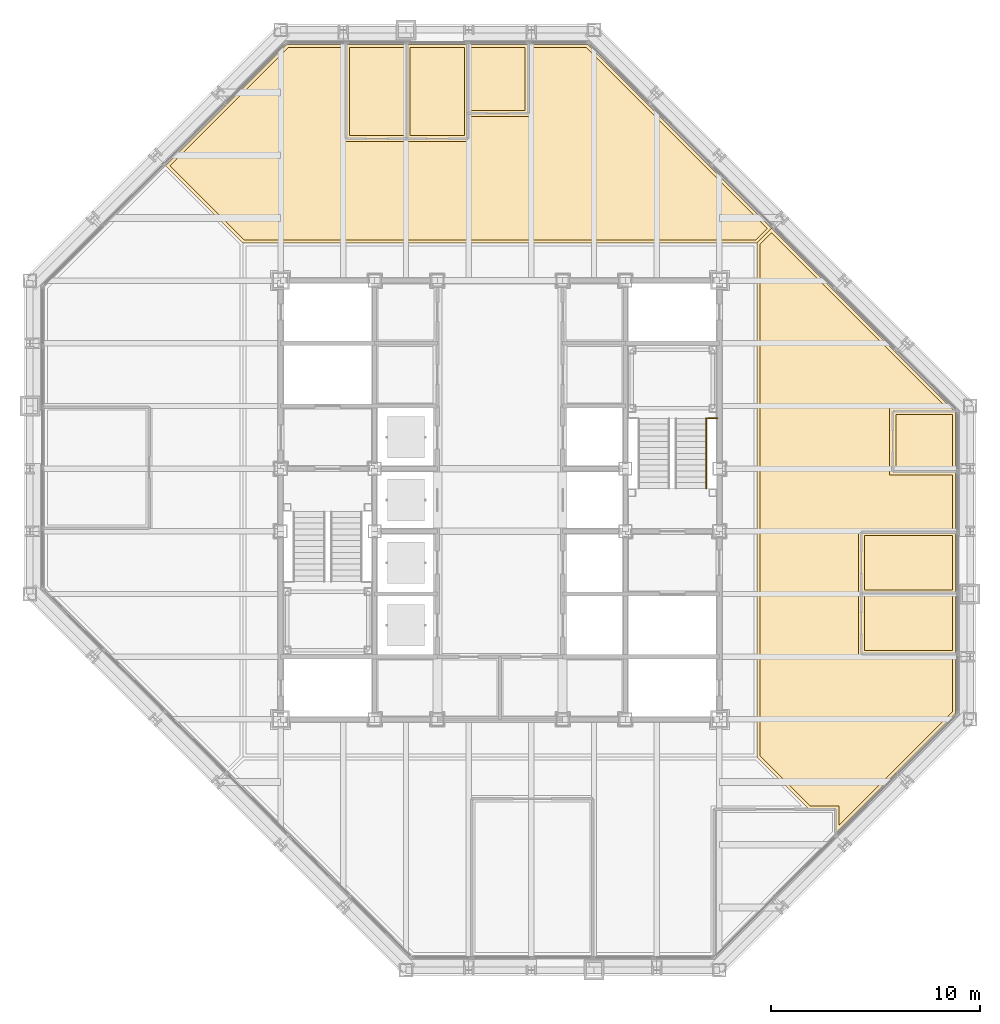
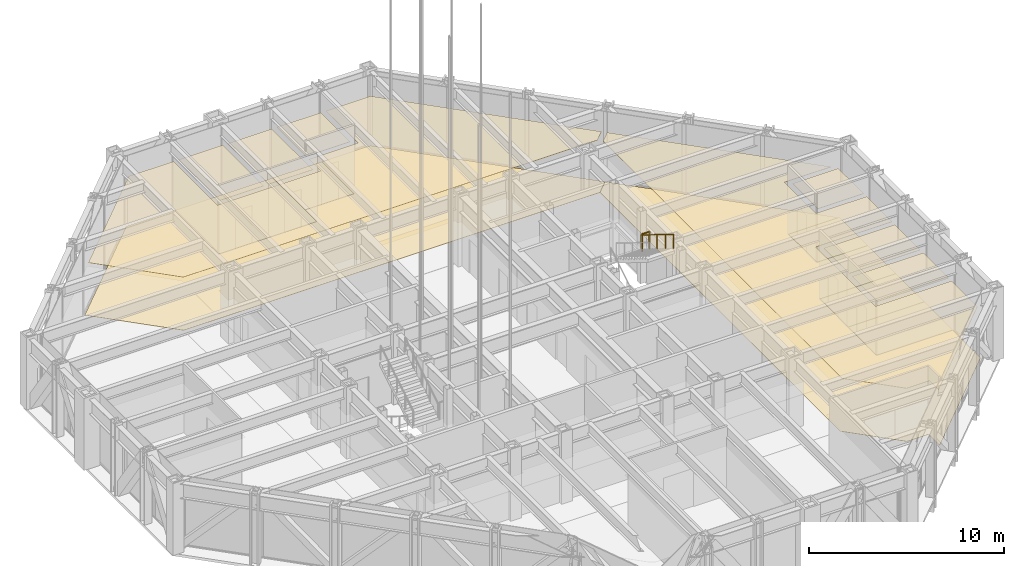
# One storey, part 15 of 24: 16 coverings, 2 railings.
"""IFC4 building model written with IfcOpenShell, lengths in metres."""

import ifcopenshell
import ifcopenshell.guid

model = None  # the IFC model being written
_history = None  # IfcOwnerHistory: only IFC2X3 demands one
_inside = {}  # id of a spatial element -> (the spatial element, [elements in it])
_under = {}  # id of a project, library or spatial element -> (it, [spatial elements below it])
_declared = {}  # id of a project -> (the project, [libraries it declares])
_typed = {}  # id of a type object -> (the type object, [elements of that type])
_made_of = {}  # id of a material, layer set ... -> (it, [elements and type objects made of it])


def new_model(schema):
    """Start an empty IFC model of exactly this schema.

    Asked for "IFC4X3", IfcOpenShell would pick the latest addendum, in which some entities
    have other attributes; the version numbers below select the first issue.
    IFC2X3 requires an IfcOwnerHistory on every rooted entity: one is made here for all.
    """
    global model, _history
    if schema == "IFC4X3":
        model = ifcopenshell.file(schema_version=(4, 3, 0, 0))
    else:
        model = ifcopenshell.file(schema=schema)
    _inside.clear()
    _under.clear()
    _declared.clear()
    _typed.clear()
    _made_of.clear()
    _history = None
    if model.schema == "IFC2X3":
        org = make("IfcOrganization", Name="unknown")
        user = make(
            "IfcPersonAndOrganization",
            ThePerson=make("IfcPerson", FamilyName="unknown"),
            TheOrganization=org,
        )
        app = make(
            "IfcApplication",
            ApplicationDeveloper=org,
            Version="unknown",
            ApplicationFullName="unknown",
            ApplicationIdentifier="unknown",
        )
        _history = make(
            "IfcOwnerHistory",
            OwningUser=user,
            OwningApplication=app,
            ChangeAction="ADDED",
            CreationDate=0,
        )
    return model


def make(cls, **values):
    """One entity of the class cls with the attributes given. An attribute that is None is left unset."""
    return model.create_entity(
        cls, **{name: value for name, value in values.items() if value is not None}
    )


def rooted(cls, **values):
    """An entity with a GlobalId (a new one), such as an element, a storey or a relation."""
    return make(cls, GlobalId=ifcopenshell.guid.new(), OwnerHistory=_history, **values)


def si_unit(unit_type, name, prefix=None):
    """IfcSIUnit, for example si_unit("LENGTHUNIT", "METRE", prefix="MILLI")."""
    return make("IfcSIUnit", UnitType=unit_type, Prefix=prefix, Name=name)


def assignment(units):
    """IfcUnitAssignment: the units of a project."""
    return None if units is None else make("IfcUnitAssignment", Units=units)


def point(xyz):
    """IfcCartesianPoint."""
    return None if xyz is None else make("IfcCartesianPoint", Coordinates=xyz)


def direction(xyz):
    """IfcDirection."""
    return None if xyz is None else make("IfcDirection", DirectionRatios=xyz)


def frame(location, z_axis=None, x_axis=None):
    """IfcAxis2Placement3D, a coordinate frame: its origin and axes. An axis left out is left unset."""
    return make(
        "IfcAxis2Placement3D",
        Location=point(location),
        Axis=direction(z_axis),
        RefDirection=direction(x_axis),
    )


def frame_2d(location, x_axis=None):
    """IfcAxis2Placement2D, a coordinate frame in the plane: its origin and x axis."""
    return make(
        "IfcAxis2Placement2D", Location=point(location), RefDirection=direction(x_axis)
    )


def origin():
    """The frame at (0, 0, 0) with its axes left unset."""
    return frame((0.0, 0.0, 0.0))


def origin_2d():
    """The frame at (0, 0) in the plane with its x axis left unset."""
    return frame_2d((0.0, 0.0))


def place(relative_to, where):
    """IfcLocalPlacement: puts the frame where relative to a parent placement (None: the world)."""
    return make(
        "IfcLocalPlacement", PlacementRelTo=relative_to, RelativePlacement=where
    )


def context(
    kind, dimensions, precision=None, world=None, true_north=None, identifier=None
):
    """IfcGeometricRepresentationContext, for example the 3D "Model" context."""
    return make(
        "IfcGeometricRepresentationContext",
        ContextIdentifier=identifier,
        ContextType=kind,
        CoordinateSpaceDimension=dimensions,
        Precision=precision,
        WorldCoordinateSystem=world,
        TrueNorth=true_north,
    )


def subcontext(parent, identifier, kind, view, scale=None):
    """IfcGeometricRepresentationSubContext, for example "Body" below "Model"."""
    return make(
        "IfcGeometricRepresentationSubContext",
        ContextIdentifier=identifier,
        ContextType=kind,
        ParentContext=parent,
        TargetScale=scale,
        TargetView=view,
    )


def project(units=None, contexts=None):
    """IfcProject with its units and contexts."""
    return rooted(
        "IfcProject",
        Name="project",
        RepresentationContexts=contexts,
        UnitsInContext=assignment(units),
    )


def spatial(cls, under=None, at=None, **own):
    """A site, building, storey or space (cls), placed at a placement, below another one or the project."""
    s = rooted(cls, ObjectPlacement=at, **own)
    if under is not None:
        _under.setdefault(under.id(), (under, []))[1].append(s)
    return s


def polyline(points):
    """IfcPolyline through the points."""
    return make("IfcPolyline", Points=[point(p) for p in points])


def profile(cls, at=None, kind="AREA", **sizes):
    """A parametric profile (cls). Its sizes go by their IFC names, for example OverallWidth=200.0."""
    return make(cls, ProfileType=kind, Position=at, **sizes)


def circle(**sizes):
    """IfcCircleProfileDef."""
    return profile("IfcCircleProfileDef", **sizes)


def outline(outer, holes=None, kind="AREA"):
    """IfcArbitraryClosedProfileDef: a profile drawn as a closed curve; with holes, ...WithVoids."""
    if holes is None:
        return make("IfcArbitraryClosedProfileDef", ProfileType=kind, OuterCurve=outer)
    return make(
        "IfcArbitraryProfileDefWithVoids",
        ProfileType=kind,
        OuterCurve=outer,
        InnerCurves=holes,
    )


def extrude(swept, where, along, depth):
    """IfcExtrudedAreaSolid: the profile swept, set in the frame where, extruded along a direction by depth."""
    return make(
        "IfcExtrudedAreaSolid",
        SweptArea=swept,
        Position=where,
        ExtrudedDirection=direction(along),
        Depth=depth,
    )


def shape(context_of_items, identifier, shape_type, items):
    """IfcShapeRepresentation: the items that make up one representation, for example the "Body"."""
    return make(
        "IfcShapeRepresentation",
        ContextOfItems=context_of_items,
        RepresentationIdentifier=identifier,
        RepresentationType=shape_type,
        Items=items,
    )


def material(Name=None, Category=None):
    """IfcMaterial."""
    return make("IfcMaterial", Name=Name, Category=Category)


def layer(
    of_material, thickness, ventilated=None, Name=None, Category=None, Priority=None
):
    """IfcMaterialLayer: one layer of a wall or slab, of a material (None: an air gap)."""
    return make(
        "IfcMaterialLayer",
        Material=of_material,
        LayerThickness=thickness,
        IsVentilated=ventilated,
        Name=Name,
        Category=Category,
        Priority=Priority,
    )


def layer_set(layers, Name=None):
    """IfcMaterialLayerSet."""
    return make("IfcMaterialLayerSet", MaterialLayers=layers, LayerSetName=Name)


def made_of(thing, what):
    """Note that an element or type object is made of a material, layer set ...; save() writes the relation."""
    if what is not None:
        _made_of.setdefault(what.id(), (what, []))[1].append(thing)
    return thing


def type_object(cls, material=None, **own):
    """A type object (cls), such as IfcWallType, which elements share."""
    return made_of(rooted(cls, **own), material)


def element(
    cls,
    number,
    at=None,
    inside=None,
    cuts=None,
    type_object=None,
    material=None,
    context=None,
    identifier="Body",
    shape_type=None,
    held_by="IfcProductDefinitionShape",
    body=None,
    shapes=None,
    **own,
):
    """One element of the class cls, such as IfcWall. Its Tag is "e" and its number.

    at: its placement. inside: the storey or other place that contains it. cuts: it is an
    opening in that element (IfcRelVoidsElement). A single representation is given by context,
    identifier, shape_type and body (its items); several are given by shapes. held_by: the class
    of the entity that holds the representations. save() writes the other relations.
    """
    e = rooted(cls, Tag="e%d" % number, ObjectPlacement=at, **own)
    if body is not None:
        shapes = [shape(context, identifier, shape_type, body)]
    if shapes is not None:
        e.Representation = make(held_by, Representations=shapes)
    if inside is not None:
        _inside.setdefault(inside.id(), (inside, []))[1].append(e)
    if cuts is not None:
        rooted(
            "IfcRelVoidsElement", RelatingBuildingElement=cuts, RelatedOpeningElement=e
        )
    if type_object is not None:
        _typed.setdefault(type_object.id(), (type_object, []))[1].append(e)
    return made_of(e, material)


def aggregate(whole, parts):
    """IfcRelAggregates: a whole, such as a stair, and the parts it consists of."""
    return rooted("IfcRelAggregates", RelatingObject=whole, RelatedObjects=parts)


def save(model, path):
    """Write the relations noted so far, then the file.

    IfcRelAggregates (storeys below a building ...), IfcRelContainedInSpatialStructure (elements
    in a storey), IfcRelDefinesByType, IfcRelAssociatesMaterial and IfcRelDeclares: one each for
    every whole, place, type object, material and project.
    """
    for whole, parts in _under.values():
        aggregate(whole, parts)
    for where, things in _inside.values():
        rooted(
            "IfcRelContainedInSpatialStructure",
            RelatedElements=things,
            RelatingStructure=where,
        )
    for kind, things in _typed.values():
        rooted("IfcRelDefinesByType", RelatedObjects=things, RelatingType=kind)
    for what, things in _made_of.values():
        rooted("IfcRelAssociatesMaterial", RelatedObjects=things, RelatingMaterial=what)
    for by, libraries in _declared.values():
        rooted("IfcRelDeclares", RelatingContext=by, RelatedDefinitions=libraries)
    model.write(path)


model = new_model("IFC4")

# Units and contexts
model_context = context("Model", 3, precision=1e-05, world=origin(), true_north=direction((0.0, 1.0)))
body_context = subcontext(model_context, "Body", "Model", "MODEL_VIEW")
ifc_project = project(units=[si_unit("LENGTHUNIT", "METRE"), si_unit("AREAUNIT", "SQUARE_METRE"), si_unit("VOLUMEUNIT", "CUBIC_METRE"), si_unit("PLANEANGLEUNIT", "RADIAN"), si_unit("MASSUNIT", "GRAM", prefix="KILO")], contexts=[model_context])

# Site, building, storey
site_placement = place(None, origin())
site = spatial("IfcSite", under=ifc_project, at=site_placement, CompositionType="ELEMENT")
building_placement = place(site_placement, origin())
building = spatial("IfcBuilding", under=site, at=building_placement, Name="Chuquiago Exchange Tower", CompositionType="ELEMENT")
storey_placement = place(building_placement, frame((0.0, 0.0, 180.0)))
storey = spatial("IfcBuildingStorey", under=building, at=storey_placement, Name="L39", CompositionType="ELEMENT", Elevation=180.0)

# Coverings
ifc_material_1 = material(Name="Mineral fibre tile, 600 x 600, on pale metal grid", Category="mineral fibre")
ifc_layer_1 = layer(ifc_material_1, 0.02001953125)
ifc_layer_set_1 = layer_set([ifc_layer_1], Name="CL1 suspended tile ceiling 20")
covering_type_1 = type_object("IfcCoveringType", Name="CL1 suspended tile ceiling 20", PredefinedType="CEILING", material=ifc_layer_set_1)
covering_1_placement = place(storey_placement, frame((0.0, 0.0, 3.199951171875)))
element("IfcCovering", 1, at=covering_1_placement, inside=storey, type_object=covering_type_1, Name="Ceiling Meeting room", PredefinedType="CEILING", context=body_context, shape_type="SweptSolid", body=[
    extrude(outline(polyline([(39.949951171875, 15.299072265625), (39.949951171875, 17.899658203125), (44.14990234375, 17.899658203125), (44.14990234375, 15.299072265625), (39.949951171875, 15.299072265625)])), origin(), (0.0, 0.0, 1.0), 0.02001953125),
])
covering_2_placement = place(storey_placement, frame((0.0, 0.0, 3.199951171875)))
element("IfcCovering", 2, at=covering_2_placement, inside=storey, type_object=covering_type_1, Name="Ceiling Meeting room", PredefinedType="CEILING", context=body_context, shape_type="SweptSolid", body=[
    extrude(outline(polyline([(39.949951171875, 18.19970703125), (39.949951171875, 20.80029296875), (44.14990234375, 20.80029296875), (44.14990234375, 18.19970703125), (39.949951171875, 18.19970703125)])), origin(), (0.0, 0.0, 1.0), 0.02001953125),
])
covering_3_placement = place(storey_placement, frame((0.0, 0.0, 3.199951171875)))
element("IfcCovering", 3, at=covering_3_placement, inside=storey, type_object=covering_type_1, Name="Ceiling Store", PredefinedType="CEILING", context=body_context, shape_type="SweptSolid", body=[
    extrude(outline(polyline([(44.14990234375, 24.0009765625), (41.449951171875, 24.0009765625), (41.449951171875, 26.6015625), (44.14990234375, 26.6015625), (44.14990234375, 24.0009765625)])), origin(), (0.0, 0.0, 1.0), 0.02001953125),
])
covering_4_placement = place(storey_placement, frame((0.0, 0.0, 3.199951171875)))
element("IfcCovering", 4, at=covering_4_placement, inside=storey, type_object=covering_type_1, Name="Ceiling Office", PredefinedType="CEILING", context=body_context, shape_type="SweptSolid", body=[
    extrude(outline(polyline([(17.899658203125, 39.949951171875), (15.299072265625, 39.949951171875), (15.299072265625, 44.14990234375), (17.899658203125, 44.14990234375), (17.899658203125, 39.949951171875)])), origin(), (0.0, 0.0, 1.0), 0.02001953125),
])
covering_5_placement = place(storey_placement, frame((0.0, 0.0, 3.199951171875)))
element("IfcCovering", 5, at=covering_5_placement, inside=storey, type_object=covering_type_1, Name="Ceiling Office", PredefinedType="CEILING", context=body_context, shape_type="SweptSolid", body=[
    extrude(outline(polyline([(20.80029296875, 39.949951171875), (18.19970703125, 39.949951171875), (18.19970703125, 44.14990234375), (20.80029296875, 44.14990234375), (20.80029296875, 39.949951171875)])), origin(), (0.0, 0.0, 1.0), 0.02001953125),
])
covering_6_placement = place(storey_placement, frame((0.0, 0.0, 3.199951171875)))
element("IfcCovering", 6, at=covering_6_placement, inside=storey, type_object=covering_type_1, Name="Ceiling Pantry", PredefinedType="CEILING", context=body_context, shape_type="SweptSolid", body=[
    extrude(outline(polyline([(23.700927734375, 41.14990234375), (21.100341796875, 41.14990234375), (21.100341796875, 44.14990234375), (23.700927734375, 44.14990234375), (23.700927734375, 41.14990234375)])), origin(), (0.0, 0.0, 1.0), 0.02001953125),
])
covering_7_placement = place(storey_placement, frame((0.0, 0.0, 3.199951171875)))
element("IfcCovering", 7, at=covering_7_placement, inside=storey, type_object=covering_type_1, Name="Ceiling Members library", PredefinedType="CEILING", context=body_context, shape_type="SweptSolid", body=[
    extrude(outline(polyline([(14.9990234375, 44.14990234375), (14.9990234375, 39.64990234375), (21.100341796875, 39.64990234375), (21.100341796875, 40.85009765625), (24.0009765625, 40.85009765625), (24.0009765625, 44.14990234375), (26.64794921875, 44.14990234375), (35.29296875, 35.5048828125), (34.73779296875, 34.949951171875), (10.26220703125, 34.949951171875), (6.70703125, 38.5048828125), (12.35205078125, 44.14990234375), (14.9990234375, 44.14990234375)])), origin(), (0.0, 0.0, 1.0), 0.02001953125),
])
covering_8_placement = place(storey_placement, frame((0.0, 0.0, 3.199951171875)))
element("IfcCovering", 8, at=covering_8_placement, inside=storey, type_object=covering_type_1, Name="Ceiling Coffee bar", PredefinedType="CEILING", context=body_context, shape_type="SweptSolid", body=[
    extrude(outline(polyline([(41.14990234375, 26.901611328125), (41.14990234375, 23.700927734375), (44.14990234375, 23.700927734375), (44.14990234375, 21.100341796875), (39.64990234375, 21.100341796875), (39.64990234375, 14.9990234375), (44.14990234375, 14.9990234375), (44.14990234375, 12.35205078125), (38.7255859375, 6.927734375), (38.7255859375, 7.85009765625), (37.362060546875, 7.85009765625), (34.949951171875, 10.26220703125), (34.949951171875, 34.73779296875), (35.5048828125, 35.29296875), (43.896484375, 26.901611328125), (41.14990234375, 26.901611328125)])), origin(), (0.0, 0.0, 1.0), 0.02001953125),
])
ifc_material_2 = material(Name="Porcelain floor tile, 600 x 600, on adhesive bed", Category="ceramic")
ifc_layer_2 = layer(ifc_material_2, 0.014892578125)
ifc_layer_set_2 = layer_set([ifc_layer_2], Name="FL2 porcelain tile 15")
covering_type_2 = type_object("IfcCoveringType", Name="FL2 porcelain tile 15", PredefinedType="FLOORING", material=ifc_layer_set_2)
covering_9_placement = place(storey_placement, origin())
element("IfcCovering", 9, at=covering_9_placement, inside=storey, type_object=covering_type_2, Name="Floor finish Meeting room", PredefinedType="FLOORING", context=body_context, shape_type="SweptSolid", body=[
    extrude(outline(polyline([(44.300048828125, 15.149169921875), (39.800048828125, 15.149169921875), (39.800048828125, 18.0498046875), (44.300048828125, 18.0498046875), (44.300048828125, 15.149169921875)])), origin(), (0.0, 0.0, 1.0), 0.014892578125),
])
covering_10_placement = place(storey_placement, origin())
element("IfcCovering", 10, at=covering_10_placement, inside=storey, type_object=covering_type_2, Name="Floor finish Meeting room", PredefinedType="FLOORING", context=body_context, shape_type="SweptSolid", body=[
    extrude(outline(polyline([(44.300048828125, 18.0498046875), (39.800048828125, 18.0498046875), (39.800048828125, 20.9501953125), (44.300048828125, 20.9501953125), (44.300048828125, 18.0498046875)])), origin(), (0.0, 0.0, 1.0), 0.014892578125),
])
covering_11_placement = place(storey_placement, origin())
element("IfcCovering", 11, at=covering_11_placement, inside=storey, type_object=covering_type_2, Name="Floor finish Store", PredefinedType="FLOORING", context=body_context, shape_type="SweptSolid", body=[
    extrude(outline(polyline([(44.300048828125, 26.710205078125), (44.300048828125, 23.850830078125), (41.300048828125, 23.850830078125), (41.300048828125, 26.75146484375), (44.258544921875, 26.75146484375), (44.300048828125, 26.710205078125)])), origin(), (0.0, 0.0, 1.0), 0.014892578125),
])
covering_12_placement = place(storey_placement, origin())
element("IfcCovering", 12, at=covering_12_placement, inside=storey, type_object=covering_type_2, Name="Floor finish Office", PredefinedType="FLOORING", context=body_context, shape_type="SweptSolid", body=[
    extrude(outline(polyline([(18.0498046875, 44.300048828125), (18.0498046875, 39.800048828125), (15.149169921875, 39.800048828125), (15.149169921875, 44.300048828125), (18.0498046875, 44.300048828125)])), origin(), (0.0, 0.0, 1.0), 0.014892578125),
])
covering_13_placement = place(storey_placement, origin())
element("IfcCovering", 13, at=covering_13_placement, inside=storey, type_object=covering_type_2, Name="Floor finish Office", PredefinedType="FLOORING", context=body_context, shape_type="SweptSolid", body=[
    extrude(outline(polyline([(20.9501953125, 44.300048828125), (20.9501953125, 39.800048828125), (18.0498046875, 39.800048828125), (18.0498046875, 44.300048828125), (20.9501953125, 44.300048828125)])), origin(), (0.0, 0.0, 1.0), 0.014892578125),
])
covering_14_placement = place(storey_placement, origin())
element("IfcCovering", 14, at=covering_14_placement, inside=storey, type_object=covering_type_2, Name="Floor finish Pantry", PredefinedType="FLOORING", context=body_context, shape_type="SweptSolid", body=[
    extrude(outline(polyline([(23.850830078125, 44.300048828125), (23.850830078125, 41.0), (20.9501953125, 41.0), (20.9501953125, 44.300048828125), (23.850830078125, 44.300048828125)])), origin(), (0.0, 0.0, 1.0), 0.014892578125),
])
covering_15_placement = place(storey_placement, origin())
element("IfcCovering", 15, at=covering_15_placement, inside=storey, type_object=covering_type_2, Name="Floor finish Members library", PredefinedType="FLOORING", context=body_context, shape_type="SweptSolid", body=[
    extrude(outline(polyline([(12.289794921875, 44.300048828125), (15.149169921875, 44.300048828125), (15.149169921875, 39.800048828125), (20.9501953125, 39.800048828125), (20.9501953125, 41.0), (23.850830078125, 41.0), (23.850830078125, 44.300048828125), (26.710205078125, 44.300048828125), (35.5048828125, 35.5048828125), (34.800048828125, 34.800048828125), (10.199951171875, 34.800048828125), (6.4951171875, 38.5048828125), (12.289794921875, 44.300048828125)])), origin(), (0.0, 0.0, 1.0), 0.014892578125),
])
covering_16_placement = place(storey_placement, origin())
element("IfcCovering", 16, at=covering_16_placement, inside=storey, type_object=covering_type_2, Name="Floor finish Coffee bar", PredefinedType="FLOORING", context=body_context, shape_type="SweptSolid", body=[
    extrude(outline(polyline([(44.258544921875, 26.75146484375), (41.300048828125, 26.75146484375), (41.300048828125, 23.850830078125), (44.300048828125, 23.850830078125), (44.300048828125, 20.9501953125), (39.800048828125, 20.9501953125), (39.800048828125, 15.149169921875), (44.300048828125, 15.149169921875), (44.300048828125, 12.289794921875), (38.57568359375, 6.565673828125), (38.57568359375, 7.699951171875), (37.300048828125, 7.699951171875), (34.800048828125, 10.199951171875), (34.800048828125, 34.800048828125), (35.5048828125, 35.5048828125), (44.258544921875, 26.75146484375)])), origin(), (0.0, 0.0, 1.0), 0.014892578125),
])

# Railings
ifc_material_3 = material(Name="Pale metal guard with safety glass infill", Category="glass")
railing_type_1 = type_object("IfcRailingType", Name="GR1 guard 1100", PredefinedType="GUARDRAIL", material=ifc_material_3)
railing_1_placement = place(storey_placement, frame((32.445068359375, 26.409912109375, 2.25)))
element("IfcRailing", 17, at=railing_1_placement, inside=storey, type_object=railing_type_1, Name="Guard ST2 L39 landing 2", PredefinedType="GUARDRAIL", context=body_context, shape_type="SweptSolid", body=[
    extrude(circle(Radius=0.02392578125, at=origin_2d()), frame((0.0, 0.0, 1.076171875), z_axis=(1.0, 0.0, 0.0), x_axis=(0.0, 1.0, 0.0)), (0.0, 0.0, 1.0), 0.454833984375),
    extrude(circle(Radius=0.02099609375, at=origin_2d()), origin(), (0.0, 0.0, 1.0), 1.052001953125),
    extrude(circle(Radius=0.02099609375, at=origin_2d()), frame((0.454833984375, 0.0, 0.0)), (0.0, 0.0, 1.0), 1.052001953125),
])
ifc_material_4 = material(Name="Pale metal handrail", Category="steel")
railing_type_2 = type_object("IfcRailingType", Name="HR1 handrail 900", PredefinedType="HANDRAIL", material=ifc_material_4)
railing_2_placement = place(storey_placement, frame((32.364990234375, 26.409912109375, 2.423095703125)))
element("IfcRailing", 18, at=railing_2_placement, inside=storey, type_object=railing_type_2, Name="Handrail ST2 L39 flight 2", PredefinedType="HANDRAIL", context=body_context, shape_type="SweptSolid", body=[
    extrude(circle(Radius=0.02392578125, at=origin_2d()), frame((0.0, 0.0, 0.8759765625), z_axis=(0.0, -0.850606129759, 0.525803396734), x_axis=(1.0, 0.0, 0.0)), (0.0, 0.0, 1.0), 3.949951171875),
    extrude(circle(Radius=0.02099609375, at=origin_2d()), origin(), (0.0, 0.0, 1.0), 0.851806640625),
    extrude(circle(Radius=0.02099609375, at=origin_2d()), frame((0.0, -0.83984375, 0.519287109375)), (0.0, 0.0, 1.0), 0.851806640625),
    extrude(circle(Radius=0.02099609375, at=origin_2d()), frame((0.0, -1.679931640625, 1.03857421875)), (0.0, 0.0, 1.0), 0.851806640625),
    extrude(circle(Radius=0.02099609375, at=origin_2d()), frame((0.0, -2.52001953125, 1.5576171875)), (0.0, 0.0, 1.0), 0.851806640625),
    extrude(circle(Radius=0.02099609375, at=origin_2d()), frame((0.0, -3.35986328125, 2.076904296875)), (0.0, 0.0, 1.0), 0.851806640625),
])

save(model, "model.ifc")
